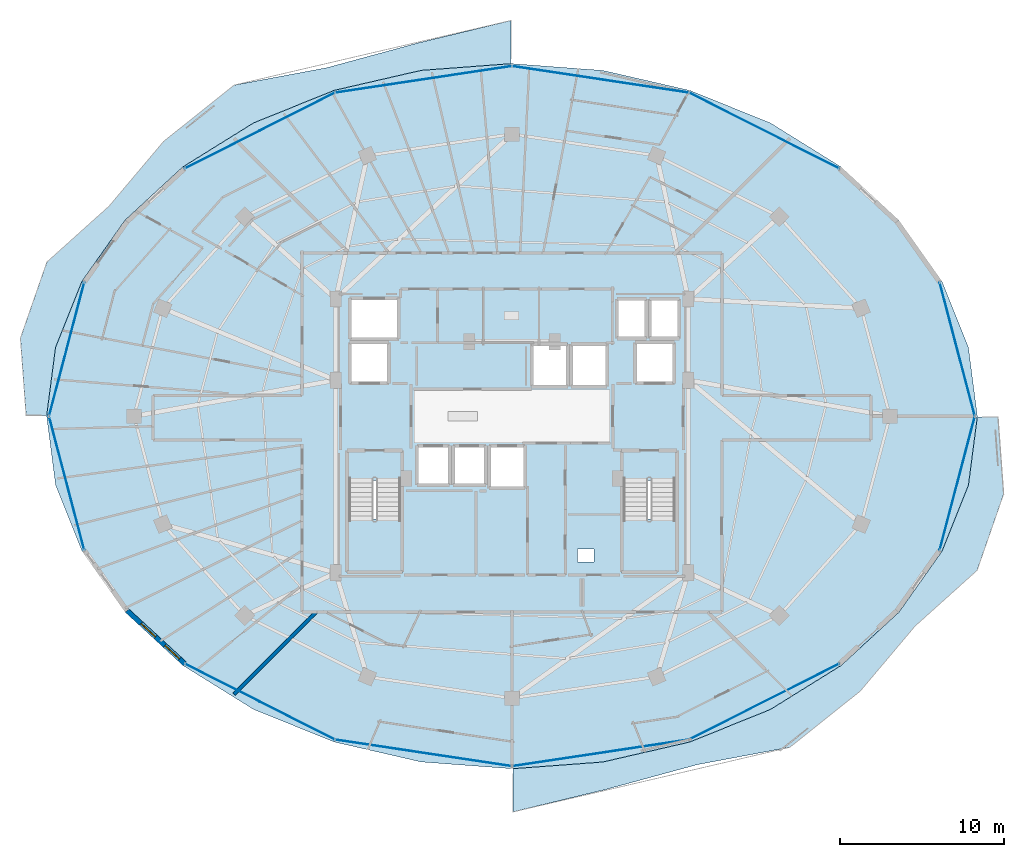
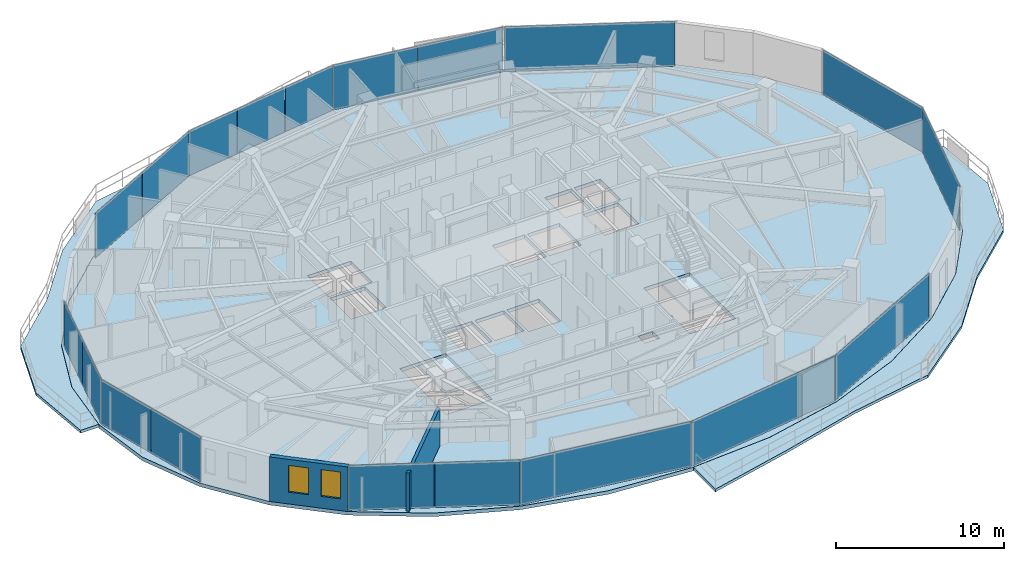
# One storey, part 21 of 31: 19 plates, 5 slabs, 2 walls, 2 windows, 2 openings, 6 elements without a shape of their own.
"""IFC4 building model written with IfcOpenShell, lengths in metres."""

import ifcopenshell
import ifcopenshell.guid

model = None  # the IFC model being written
_history = None  # IfcOwnerHistory: only IFC2X3 demands one
_inside = {}  # id of a spatial element -> (the spatial element, [elements in it])
_under = {}  # id of a project, library or spatial element -> (it, [spatial elements below it])
_declared = {}  # id of a project -> (the project, [libraries it declares])
_typed = {}  # id of a type object -> (the type object, [elements of that type])
_made_of = {}  # id of a material, layer set ... -> (it, [elements and type objects made of it])


def new_model(schema):
    """Start an empty IFC model of exactly this schema.

    Asked for "IFC4X3", IfcOpenShell would pick the latest addendum, in which some entities
    have other attributes; the version numbers below select the first issue.
    IFC2X3 requires an IfcOwnerHistory on every rooted entity: one is made here for all.
    """
    global model, _history
    if schema == "IFC4X3":
        model = ifcopenshell.file(schema_version=(4, 3, 0, 0))
    else:
        model = ifcopenshell.file(schema=schema)
    _inside.clear()
    _under.clear()
    _declared.clear()
    _typed.clear()
    _made_of.clear()
    _history = None
    if model.schema == "IFC2X3":
        org = make("IfcOrganization", Name="unknown")
        user = make(
            "IfcPersonAndOrganization",
            ThePerson=make("IfcPerson", FamilyName="unknown"),
            TheOrganization=org,
        )
        app = make(
            "IfcApplication",
            ApplicationDeveloper=org,
            Version="unknown",
            ApplicationFullName="unknown",
            ApplicationIdentifier="unknown",
        )
        _history = make(
            "IfcOwnerHistory",
            OwningUser=user,
            OwningApplication=app,
            ChangeAction="ADDED",
            CreationDate=0,
        )
    return model


def make(cls, **values):
    """One entity of the class cls with the attributes given. An attribute that is None is left unset."""
    return model.create_entity(
        cls, **{name: value for name, value in values.items() if value is not None}
    )


def rooted(cls, **values):
    """An entity with a GlobalId (a new one), such as an element, a storey or a relation."""
    return make(cls, GlobalId=ifcopenshell.guid.new(), OwnerHistory=_history, **values)


def si_unit(unit_type, name, prefix=None):
    """IfcSIUnit, for example si_unit("LENGTHUNIT", "METRE", prefix="MILLI")."""
    return make("IfcSIUnit", UnitType=unit_type, Prefix=prefix, Name=name)


def assignment(units):
    """IfcUnitAssignment: the units of a project."""
    return None if units is None else make("IfcUnitAssignment", Units=units)


def point(xyz):
    """IfcCartesianPoint."""
    return None if xyz is None else make("IfcCartesianPoint", Coordinates=xyz)


def direction(xyz):
    """IfcDirection."""
    return None if xyz is None else make("IfcDirection", DirectionRatios=xyz)


def frame(location, z_axis=None, x_axis=None):
    """IfcAxis2Placement3D, a coordinate frame: its origin and axes. An axis left out is left unset."""
    return make(
        "IfcAxis2Placement3D",
        Location=point(location),
        Axis=direction(z_axis),
        RefDirection=direction(x_axis),
    )


def frame_2d(location, x_axis=None):
    """IfcAxis2Placement2D, a coordinate frame in the plane: its origin and x axis."""
    return make(
        "IfcAxis2Placement2D", Location=point(location), RefDirection=direction(x_axis)
    )


def origin():
    """The frame at (0, 0, 0) with its axes left unset."""
    return frame((0.0, 0.0, 0.0))


def origin_2d():
    """The frame at (0, 0) in the plane with its x axis left unset."""
    return frame_2d((0.0, 0.0))


def place(relative_to, where):
    """IfcLocalPlacement: puts the frame where relative to a parent placement (None: the world)."""
    return make(
        "IfcLocalPlacement", PlacementRelTo=relative_to, RelativePlacement=where
    )


def context(
    kind, dimensions, precision=None, world=None, true_north=None, identifier=None
):
    """IfcGeometricRepresentationContext, for example the 3D "Model" context."""
    return make(
        "IfcGeometricRepresentationContext",
        ContextIdentifier=identifier,
        ContextType=kind,
        CoordinateSpaceDimension=dimensions,
        Precision=precision,
        WorldCoordinateSystem=world,
        TrueNorth=true_north,
    )


def subcontext(parent, identifier, kind, view, scale=None):
    """IfcGeometricRepresentationSubContext, for example "Body" below "Model"."""
    return make(
        "IfcGeometricRepresentationSubContext",
        ContextIdentifier=identifier,
        ContextType=kind,
        ParentContext=parent,
        TargetScale=scale,
        TargetView=view,
    )


def project(units=None, contexts=None):
    """IfcProject with its units and contexts."""
    return rooted(
        "IfcProject",
        Name="project",
        RepresentationContexts=contexts,
        UnitsInContext=assignment(units),
    )


def spatial(cls, under=None, at=None, **own):
    """A site, building, storey or space (cls), placed at a placement, below another one or the project."""
    s = rooted(cls, ObjectPlacement=at, **own)
    if under is not None:
        _under.setdefault(under.id(), (under, []))[1].append(s)
    return s


def polyline(points):
    """IfcPolyline through the points."""
    return make("IfcPolyline", Points=[point(p) for p in points])


def profile(cls, at=None, kind="AREA", **sizes):
    """A parametric profile (cls). Its sizes go by their IFC names, for example OverallWidth=200.0."""
    return make(cls, ProfileType=kind, Position=at, **sizes)


def rectangle(**sizes):
    """IfcRectangleProfileDef."""
    return profile("IfcRectangleProfileDef", **sizes)


def outline(outer, holes=None, kind="AREA"):
    """IfcArbitraryClosedProfileDef: a profile drawn as a closed curve; with holes, ...WithVoids."""
    if holes is None:
        return make("IfcArbitraryClosedProfileDef", ProfileType=kind, OuterCurve=outer)
    return make(
        "IfcArbitraryProfileDefWithVoids",
        ProfileType=kind,
        OuterCurve=outer,
        InnerCurves=holes,
    )


def extrude(swept, where, along, depth):
    """IfcExtrudedAreaSolid: the profile swept, set in the frame where, extruded along a direction by depth."""
    return make(
        "IfcExtrudedAreaSolid",
        SweptArea=swept,
        Position=where,
        ExtrudedDirection=direction(along),
        Depth=depth,
    )


def shape(context_of_items, identifier, shape_type, items):
    """IfcShapeRepresentation: the items that make up one representation, for example the "Body"."""
    return make(
        "IfcShapeRepresentation",
        ContextOfItems=context_of_items,
        RepresentationIdentifier=identifier,
        RepresentationType=shape_type,
        Items=items,
    )


def material(Name=None, Category=None):
    """IfcMaterial."""
    return make("IfcMaterial", Name=Name, Category=Category)


def layer(
    of_material, thickness, ventilated=None, Name=None, Category=None, Priority=None
):
    """IfcMaterialLayer: one layer of a wall or slab, of a material (None: an air gap)."""
    return make(
        "IfcMaterialLayer",
        Material=of_material,
        LayerThickness=thickness,
        IsVentilated=ventilated,
        Name=Name,
        Category=Category,
        Priority=Priority,
    )


def layer_set(layers, Name=None):
    """IfcMaterialLayerSet."""
    return make("IfcMaterialLayerSet", MaterialLayers=layers, LayerSetName=Name)


def made_of(thing, what):
    """Note that an element or type object is made of a material, layer set ...; save() writes the relation."""
    if what is not None:
        _made_of.setdefault(what.id(), (what, []))[1].append(thing)
    return thing


def type_object(cls, material=None, **own):
    """A type object (cls), such as IfcWallType, which elements share."""
    return made_of(rooted(cls, **own), material)


def element(
    cls,
    number,
    at=None,
    inside=None,
    cuts=None,
    type_object=None,
    material=None,
    context=None,
    identifier="Body",
    shape_type=None,
    held_by="IfcProductDefinitionShape",
    body=None,
    shapes=None,
    **own,
):
    """One element of the class cls, such as IfcWall. Its Tag is "e" and its number.

    at: its placement. inside: the storey or other place that contains it. cuts: it is an
    opening in that element (IfcRelVoidsElement). A single representation is given by context,
    identifier, shape_type and body (its items); several are given by shapes. held_by: the class
    of the entity that holds the representations. save() writes the other relations.
    """
    e = rooted(cls, Tag="e%d" % number, ObjectPlacement=at, **own)
    if body is not None:
        shapes = [shape(context, identifier, shape_type, body)]
    if shapes is not None:
        e.Representation = make(held_by, Representations=shapes)
    if inside is not None:
        _inside.setdefault(inside.id(), (inside, []))[1].append(e)
    if cuts is not None:
        rooted(
            "IfcRelVoidsElement", RelatingBuildingElement=cuts, RelatedOpeningElement=e
        )
    if type_object is not None:
        _typed.setdefault(type_object.id(), (type_object, []))[1].append(e)
    return made_of(e, material)


def fill(opening, filler):
    """IfcRelFillsElement: the door or window that sits in an opening."""
    return rooted(
        "IfcRelFillsElement",
        RelatingOpeningElement=opening,
        RelatedBuildingElement=filler,
    )


def aggregate(whole, parts):
    """IfcRelAggregates: a whole, such as a stair, and the parts it consists of."""
    return rooted("IfcRelAggregates", RelatingObject=whole, RelatedObjects=parts)


def save(model, path):
    """Write the relations noted so far, then the file.

    IfcRelAggregates (storeys below a building ...), IfcRelContainedInSpatialStructure (elements
    in a storey), IfcRelDefinesByType, IfcRelAssociatesMaterial and IfcRelDeclares: one each for
    every whole, place, type object, material and project.
    """
    for whole, parts in _under.values():
        aggregate(whole, parts)
    for where, things in _inside.values():
        rooted(
            "IfcRelContainedInSpatialStructure",
            RelatedElements=things,
            RelatingStructure=where,
        )
    for kind, things in _typed.values():
        rooted("IfcRelDefinesByType", RelatedObjects=things, RelatingType=kind)
    for what, things in _made_of.values():
        rooted("IfcRelAssociatesMaterial", RelatedObjects=things, RelatingMaterial=what)
    for by, libraries in _declared.values():
        rooted("IfcRelDeclares", RelatingContext=by, RelatedDefinitions=libraries)
    model.write(path)


model = new_model("IFC4")

# Units and contexts
model_context = context("Model", 3, precision=1e-05, world=origin(), true_north=direction((0.0, 1.0)))
body_context = subcontext(model_context, "Body", "Model", "MODEL_VIEW")
ifc_project = project(units=[si_unit("LENGTHUNIT", "METRE"), si_unit("AREAUNIT", "SQUARE_METRE"), si_unit("VOLUMEUNIT", "CUBIC_METRE"), si_unit("PLANEANGLEUNIT", "RADIAN"), si_unit("MASSUNIT", "GRAM", prefix="KILO")], contexts=[model_context])

# Site, building, storey
site_placement = place(None, origin())
site = spatial("IfcSite", under=ifc_project, at=site_placement, CompositionType="ELEMENT")
building_placement = place(site_placement, origin())
building = spatial("IfcBuilding", under=site, at=building_placement, Name="Vorneva Point Tower", CompositionType="ELEMENT")
storey_placement = place(building_placement, frame((0.0, 0.0, 193.10009765625)))
storey = spatial("IfcBuildingStorey", under=building, at=storey_placement, Name="L52", CompositionType="ELEMENT", Elevation=193.10009765625)

# Curtain wall, plates
ifc_material_1 = material(Name="Pale anodised aluminium", Category="aluminium")
curtain_wall_type = type_object("IfcCurtainWallType", Name="CW-RES-SYS", PredefinedType="NOTDEFINED", material=ifc_material_1)
curtain_wall_1_placement = place(storey_placement, origin())
curtain_wall_1 = element("IfcCurtainWall", 1, at=curtain_wall_1_placement, inside=storey, type_object=curtain_wall_type, Name="L52 Unitised Curtain Wall CW-L52-R01", PredefinedType="NOTDEFINED")
ifc_material_2 = material(Name="Double low-e laminated glass IGU", Category="glass")
ifc_layer_1 = layer(ifc_material_2, 0.035888671875)
ifc_layer_set_1 = layer_set([ifc_layer_1], Name="Double low-e laminated glass IGU")
plate_type = type_object("IfcPlateType", Name="CW-PNL-VIS", PredefinedType="CURTAIN_PANEL", material=ifc_layer_set_1)
plate_1_placement = place(storey_placement, frame((65.155517578125, 21.914794921875, -0.02001953125), z_axis=(0.0, 0.0, 1.0), x_axis=(0.254365646708, 0.967108121036, 0.0)))
plate_1 = element("IfcPlate", 2, at=plate_1_placement, type_object=plate_type, Name="CW-L52-R01 Glazed Panel 01", PredefinedType="CURTAIN_PANEL", context=body_context, shape_type="SweptSolid", body=[
    extrude(rectangle(XDim=8.398193359375, YDim=0.035888671875, at=origin_2d()), origin(), (0.0, 0.0, 1.0), 3.280029296875),
])
plate_2_placement = place(storey_placement, frame((65.155517578125, 30.085205078125, -0.02001953125), z_axis=(0.0, 0.0, 1.0), x_axis=(-0.254365646708, 0.967108121036, 0.0)))
plate_2 = element("IfcPlate", 3, at=plate_2_placement, type_object=plate_type, Name="CW-L52-R01 Glazed Panel 02", PredefinedType="CURTAIN_PANEL", context=body_context, shape_type="SweptSolid", body=[
    extrude(rectangle(XDim=8.398193359375, YDim=0.035888671875, at=origin_2d()), origin(), (0.0, 0.0, 1.0), 3.280029296875),
])
aggregate(curtain_wall_1, [plate_1, plate_2])

curtain_wall_2_placement = place(storey_placement, origin())
curtain_wall_2 = element("IfcCurtainWall", 4, at=curtain_wall_2_placement, inside=storey, type_object=curtain_wall_type, Name="L52 Unitised Curtain Wall CW-L52-R02", PredefinedType="NOTDEFINED")
plate_3_placement = place(storey_placement, frame((53.38232421875, 43.410888671875, -0.02001953125), z_axis=(0.0, 0.0, 1.0), x_axis=(-0.892514983762, 0.451017742179, 0.0)))
plate_3 = element("IfcPlate", 5, at=plate_3_placement, type_object=plate_type, Name="CW-L52-R02 Glazed Panel 01", PredefinedType="CURTAIN_PANEL", context=body_context, shape_type="SweptSolid", body=[
    extrude(rectangle(XDim=10.21142578125, YDim=0.035888671875, at=origin_2d()), origin(), (0.0, 0.0, 1.0), 3.280029296875),
])
plate_4_placement = place(storey_placement, frame((46.102294921875, 46.131103515625, -0.02001953125), z_axis=(0.0, 0.0, 1.0), x_axis=(-0.988873520862, 0.148758729957, 0.0)))
plate_4 = element("IfcPlate", 6, at=plate_4_placement, type_object=plate_type, Name="CW-L52-R02 Glazed Panel 02A", PredefinedType="CURTAIN_PANEL", context=body_context, shape_type="SweptSolid", body=[
    extrude(rectangle(XDim=5.412353515625, YDim=0.035888671875, at=origin_2d()), origin(), (0.0, 0.0, 1.0), 3.280029296875),
])
plate_5_placement = place(storey_placement, frame((40.70068359375, 46.943603515625, -0.02001953125), z_axis=(0.0, 0.0, 1.0), x_axis=(-0.988873520862, 0.148758729957, 0.0)))
plate_5 = element("IfcPlate", 7, at=plate_5_placement, type_object=plate_type, Name="CW-L52-R02 Glazed Panel 02B", PredefinedType="CURTAIN_PANEL", context=body_context, shape_type="SweptSolid", body=[
    extrude(rectangle(XDim=5.412353515625, YDim=0.035888671875, at=origin_2d()), origin(), (0.0, 0.0, 1.0), 3.280029296875),
])
plate_6_placement = place(storey_placement, frame((36.199462890625, 47.0791015625, -0.02001953125), z_axis=(0.0, 0.0, 1.0), x_axis=(-0.988873520862, -0.148758729957, 0.0)))
plate_6 = element("IfcPlate", 8, at=plate_6_placement, type_object=plate_type, Name="CW-L52-R02 Glazed Panel 03A", PredefinedType="CURTAIN_PANEL", context=body_context, shape_type="SweptSolid", body=[
    extrude(rectangle(XDim=3.591552734375, YDim=0.035888671875, at=origin_2d()), origin(), (0.0, 0.0, 1.0), 3.280029296875),
])
plate_7_placement = place(storey_placement, frame((32.598388671875, 46.537353515625, -0.02001953125), z_axis=(0.0, 0.0, 1.0), x_axis=(-0.988873520862, -0.148758729957, 0.0)))
plate_7 = element("IfcPlate", 9, at=plate_7_placement, type_object=plate_type, Name="CW-L52-R02 Glazed Panel 03B", PredefinedType="CURTAIN_PANEL", context=body_context, shape_type="SweptSolid", body=[
    extrude(rectangle(XDim=3.591552734375, YDim=0.035888671875, at=origin_2d()), origin(), (0.0, 0.0, 1.0), 3.280029296875),
])
plate_8_placement = place(storey_placement, frame((28.997314453125, 45.99560546875, -0.02001953125), z_axis=(0.0, 0.0, 1.0), x_axis=(-0.988873520862, -0.148758729957, 0.0)))
plate_8 = element("IfcPlate", 10, at=plate_8_placement, type_object=plate_type, Name="CW-L52-R02 Glazed Panel 03C", PredefinedType="CURTAIN_PANEL", context=body_context, shape_type="SweptSolid", body=[
    extrude(rectangle(XDim=3.591552734375, YDim=0.035888671875, at=origin_2d()), origin(), (0.0, 0.0, 1.0), 3.280029296875),
])
plate_9_placement = place(storey_placement, frame((24.9072265625, 44.56787109375, -0.02001953125), z_axis=(0.0, 0.0, 1.0), x_axis=(-0.892514983762, -0.451017742179, 0.0)))
plate_9 = element("IfcPlate", 11, at=plate_9_placement, type_object=plate_type, Name="CW-L52-R02 Glazed Panel 04A", PredefinedType="CURTAIN_PANEL", context=body_context, shape_type="SweptSolid", body=[
    extrude(rectangle(XDim=5.080810546875, YDim=0.035888671875, at=origin_2d()), origin(), (0.0, 0.0, 1.0), 3.280029296875),
])
plate_10_placement = place(storey_placement, frame((20.327880859375, 42.253662109375, -0.02001953125), z_axis=(0.0, 0.0, 1.0), x_axis=(-0.892514983762, -0.451017742179, 0.0)))
plate_10 = element("IfcPlate", 12, at=plate_10_placement, type_object=plate_type, Name="CW-L52-R02 Glazed Panel 04B", PredefinedType="CURTAIN_PANEL", context=body_context, shape_type="SweptSolid", body=[
    extrude(rectangle(XDim=5.080810546875, YDim=0.035888671875, at=origin_2d()), origin(), (0.0, 0.0, 1.0), 3.280029296875),
])
aggregate(curtain_wall_2, [plate_3, plate_4, plate_5, plate_6, plate_7, plate_8, plate_9, plate_10])

curtain_wall_3_placement = place(storey_placement, origin())
curtain_wall_3 = element("IfcCurtainWall", 13, at=curtain_wall_3_placement, inside=storey, type_object=curtain_wall_type, Name="L52 Unitised Curtain Wall CW-L52-R03", PredefinedType="NOTDEFINED")
plate_11_placement = place(storey_placement, frame((11.381591796875, 32.127685546875, -0.02001953125), z_axis=(0.0, 0.0, 1.0), x_axis=(-0.254365646708, -0.967108121036, 0.0)))
plate_11 = element("IfcPlate", 14, at=plate_11_placement, type_object=plate_type, Name="CW-L52-R03 Glazed Panel 01A", PredefinedType="CURTAIN_PANEL", context=body_context, shape_type="SweptSolid", body=[
    extrude(rectangle(XDim=4.174072265625, YDim=0.035888671875, at=origin_2d()), origin(), (0.0, 0.0, 1.0), 3.280029296875),
])
plate_12_placement = place(storey_placement, frame((10.30712890625, 28.04248046875, -0.02001953125), z_axis=(0.0, 0.0, 1.0), x_axis=(-0.254365646708, -0.967108121036, 0.0)))
plate_12 = element("IfcPlate", 15, at=plate_12_placement, type_object=plate_type, Name="CW-L52-R03 Glazed Panel 01B", PredefinedType="CURTAIN_PANEL", context=body_context, shape_type="SweptSolid", body=[
    extrude(rectangle(XDim=4.174072265625, YDim=0.035888671875, at=origin_2d()), origin(), (0.0, 0.0, 1.0), 3.280029296875),
])
plate_13_placement = place(storey_placement, frame((10.30712890625, 23.95751953125, -0.02001953125), z_axis=(0.0, 0.0, 1.0), x_axis=(0.254365646708, -0.967108121036, 0.0)))
plate_13 = element("IfcPlate", 16, at=plate_13_placement, type_object=plate_type, Name="CW-L52-R03 Glazed Panel 02A", PredefinedType="CURTAIN_PANEL", context=body_context, shape_type="SweptSolid", body=[
    extrude(rectangle(XDim=4.174072265625, YDim=0.035888671875, at=origin_2d()), origin(), (0.0, 0.0, 1.0), 3.280029296875),
])
plate_14_placement = place(storey_placement, frame((11.381591796875, 19.872314453125, -0.02001953125), z_axis=(0.0, 0.0, 1.0), x_axis=(0.254365646708, -0.967108121036, 0.0)))
plate_14 = element("IfcPlate", 17, at=plate_14_placement, type_object=plate_type, Name="CW-L52-R03 Glazed Panel 02B", PredefinedType="CURTAIN_PANEL", context=body_context, shape_type="SweptSolid", body=[
    extrude(rectangle(XDim=4.174072265625, YDim=0.035888671875, at=origin_2d()), origin(), (0.0, 0.0, 1.0), 3.280029296875),
])
aggregate(curtain_wall_3, [plate_11, plate_12, plate_13, plate_14])

curtain_wall_4_placement = place(storey_placement, origin())
curtain_wall_4 = element("IfcCurtainWall", 18, at=curtain_wall_4_placement, inside=storey, type_object=curtain_wall_type, Name="L52 Unitised Curtain Wall CW-L52-R04", PredefinedType="NOTDEFINED")
plate_15_placement = place(storey_placement, frame((20.327880859375, 9.746337890625, -0.02001953125), z_axis=(0.0, 0.0, 1.0), x_axis=(0.892514983762, -0.451017742179, 0.0)))
plate_15 = element("IfcPlate", 19, at=plate_15_placement, type_object=plate_type, Name="CW-L52-R04 Glazed Panel 01A", PredefinedType="CURTAIN_PANEL", context=body_context, shape_type="SweptSolid", body=[
    extrude(rectangle(XDim=5.080810546875, YDim=0.035888671875, at=origin_2d()), origin(), (0.0, 0.0, 1.0), 3.280029296875),
])
plate_16_placement = place(storey_placement, frame((24.9072265625, 7.43212890625, -0.02001953125), z_axis=(0.0, 0.0, 1.0), x_axis=(0.892514983762, -0.451017742179, 0.0)))
plate_16 = element("IfcPlate", 20, at=plate_16_placement, type_object=plate_type, Name="CW-L52-R04 Glazed Panel 01B", PredefinedType="CURTAIN_PANEL", context=body_context, shape_type="SweptSolid", body=[
    extrude(rectangle(XDim=5.080810546875, YDim=0.035888671875, at=origin_2d()), origin(), (0.0, 0.0, 1.0), 3.280029296875),
])
plate_17_placement = place(storey_placement, frame((32.598388671875, 5.462646484375, -0.02001953125), z_axis=(0.0, 0.0, 1.0), x_axis=(0.988873520862, -0.148758729957, 0.0)))
plate_17 = element("IfcPlate", 21, at=plate_17_placement, type_object=plate_type, Name="CW-L52-R04 Glazed Panel 02", PredefinedType="CURTAIN_PANEL", context=body_context, shape_type="SweptSolid", body=[
    extrude(rectangle(XDim=10.874755859375, YDim=0.035888671875, at=origin_2d()), origin(), (0.0, 0.0, 1.0), 3.280029296875),
])
plate_18_placement = place(storey_placement, frame((43.401611328125, 5.462646484375, -0.02001953125), z_axis=(0.0, 0.0, 1.0), x_axis=(0.988873520862, 0.148758729957, 0.0)))
plate_18 = element("IfcPlate", 22, at=plate_18_placement, type_object=plate_type, Name="CW-L52-R04 Glazed Panel 03", PredefinedType="CURTAIN_PANEL", context=body_context, shape_type="SweptSolid", body=[
    extrude(rectangle(XDim=10.874755859375, YDim=0.035888671875, at=origin_2d()), origin(), (0.0, 0.0, 1.0), 3.280029296875),
])
plate_19_placement = place(storey_placement, frame((53.38232421875, 8.589111328125, -0.02001953125), z_axis=(0.0, 0.0, 1.0), x_axis=(0.892514983762, 0.451017742179, 0.0)))
plate_19 = element("IfcPlate", 23, at=plate_19_placement, type_object=plate_type, Name="CW-L52-R04 Glazed Panel 04", PredefinedType="CURTAIN_PANEL", context=body_context, shape_type="SweptSolid", body=[
    extrude(rectangle(XDim=10.21142578125, YDim=0.035888671875, at=origin_2d()), origin(), (0.0, 0.0, 1.0), 3.280029296875),
])
aggregate(curtain_wall_4, [plate_15, plate_16, plate_17, plate_18, plate_19])

# Slabs
ifc_material_3 = material(Name="Concrete B50 (C40/50)", Category="concrete")
ifc_layer_2 = layer(ifc_material_3, 0.199951171875)
ifc_layer_set_2 = layer_set([ifc_layer_2], Name="Concrete B50 (C40/50)")
slab_type_1 = type_object("IfcSlabType", Name="SLB-BAL-200", PredefinedType="FLOOR", material=ifc_layer_set_2)
slab_1_placement = place(storey_placement, frame((0.0, 0.0, -0.2001953125)))
element("IfcSlab", 24, at=slab_1_placement, inside=storey, type_object=slab_type_1, Name="L52 Cantilevered Wave Balcony NW", PredefinedType="FLOOR", context=body_context, shape_type="SweptSolid", body=[
    extrude(outline(polyline([(8.3662109375, 26.050048828125), (9.62255859375, 26.050048828125), (10.161376953125, 30.19482421875), (10.161376953125, 30.1953125), (10.16162109375, 30.195556640625), (10.16162109375, 30.19580078125), (11.776611328125, 34.229248046875), (11.77685546875, 34.2294921875), (11.777099609375, 34.22998046875), (14.399658203125, 37.947021484375), (14.39990234375, 37.947509765625), (14.400146484375, 37.94775390625), (17.9296875, 41.205810546875), (17.929931640625, 41.2060546875), (17.93017578125, 41.206298828125), (22.230712890625, 43.8798828125), (22.231201171875, 43.880126953125), (22.2314453125, 43.88037109375), (27.137939453125, 45.8671875), (27.13818359375, 45.8671875), (27.138427734375, 45.8671875), (32.46240234375, 47.0908203125), (32.462646484375, 47.0908203125), (32.462890625, 47.0908203125), (37.949951171875, 47.500244140625), (37.949951171875, 50.137939453125), (32.212646484375, 48.750244140625), (26.703857421875, 47.251708984375), (21.060302734375, 46.193359375), (16.7548828125, 42.757080078125), (13.425537109375, 38.806884765625), (9.635009765625, 35.400634765625), (8.02001953125, 30.7578125), (8.3662109375, 26.050048828125)])), origin(), (0.0, 0.0, 1.0), 0.2001953125),
])
slab_2_placement = place(storey_placement, frame((0.0, 0.0, -0.2001953125)))
element("IfcSlab", 25, at=slab_2_placement, inside=storey, type_object=slab_type_1, Name="L52 Cantilevered Wave Balcony SE", PredefinedType="FLOOR", context=body_context, shape_type="SweptSolid", body=[
    extrude(outline(polyline([(67.97998046875, 21.2421875), (67.6337890625, 25.949951171875), (66.37744140625, 25.949951171875), (65.838623046875, 21.80517578125), (65.838623046875, 21.8046875), (65.83837890625, 21.804443359375), (65.83837890625, 21.80419921875), (64.223388671875, 17.770751953125), (64.22314453125, 17.7705078125), (64.222900390625, 17.77001953125), (61.600341796875, 14.052978515625), (61.60009765625, 14.052490234375), (61.599853515625, 14.05224609375), (58.0703125, 10.794189453125), (58.070068359375, 10.7939453125), (58.06982421875, 10.793701171875), (53.769287109375, 8.1201171875), (53.768798828125, 8.119873046875), (53.7685546875, 8.11962890625), (48.862060546875, 6.1328125), (48.86181640625, 6.1328125), (48.861572265625, 6.1328125), (43.53759765625, 4.9091796875), (43.537353515625, 4.9091796875), (43.537109375, 4.9091796875), (38.050048828125, 4.499755859375), (38.050048828125, 1.862060546875), (43.787353515625, 3.249755859375), (49.296142578125, 4.748291015625), (54.939697265625, 5.806640625), (59.2451171875, 9.242919921875), (62.574462890625, 13.193115234375), (66.364990234375, 16.599365234375), (67.97998046875, 21.2421875)])), origin(), (0.0, 0.0, 1.0), 0.2001953125),
])

# Stair, slab
stair_type = type_object("IfcStairType", Name="ST-DOG-1500", PredefinedType="HALF_TURN_STAIR", material=ifc_material_3)
stair_1_placement = place(storey_placement, origin())
stair_1 = element("IfcStair", 26, at=stair_1_placement, inside=storey, type_object=stair_type, Name="L52 ST1", PredefinedType="HALF_TURN_STAIR")
ifc_layer_3 = layer(ifc_material_3, 0.199951171875)
ifc_layer_set_3 = layer_set([ifc_layer_3], Name="Concrete B50 (C40/50)")
slab_type_2 = type_object("IfcSlabType", Name="SLB-LND-200", PredefinedType="LANDING", material=ifc_layer_set_3)
slab_3_placement = place(storey_placement, frame((0.0, 0.0, 1.5498046875)))
slab_3 = element("IfcSlab", 27, at=slab_3_placement, type_object=slab_type_2, Name="ST1 landing 1", PredefinedType="LANDING", context=body_context, shape_type="SweptSolid", body=[
    extrude(outline(polyline([(27.929931640625, 16.47998046875), (31.320068359375, 16.47998046875), (31.320068359375, 19.72998046875), (27.929931640625, 19.72998046875), (27.929931640625, 16.47998046875)])), origin(), (0.0, 0.0, 1.0), 0.2001953125),
])
aggregate(stair_1, [slab_3])

stair_2_placement = place(storey_placement, origin())
stair_2 = element("IfcStair", 28, at=stair_2_placement, inside=storey, type_object=stair_type, Name="L52 ST2", PredefinedType="HALF_TURN_STAIR")
slab_4_placement = place(storey_placement, frame((0.0, 0.0, 1.5498046875)))
slab_4 = element("IfcSlab", 29, at=slab_4_placement, type_object=slab_type_2, Name="ST2 landing 1", PredefinedType="LANDING", context=body_context, shape_type="SweptSolid", body=[
    extrude(outline(polyline([(44.679931640625, 16.47998046875), (48.070068359375, 16.47998046875), (48.070068359375, 19.72998046875), (44.679931640625, 19.72998046875), (44.679931640625, 16.47998046875)])), origin(), (0.0, 0.0, 1.0), 0.2001953125),
])
aggregate(stair_2, [slab_4])

# Slab
ifc_layer_4 = layer(ifc_material_3, 0.260009765625)
ifc_layer_set_4 = layer_set([ifc_layer_4], Name="Concrete B50 (C40/50)")
slab_type_3 = type_object("IfcSlabType", Name="SLB-TYP-260", PredefinedType="FLOOR", material=ifc_layer_set_4)
slab_5_placement = place(storey_placement, frame((0.0, 0.0, -0.260009765625)))
element("IfcSlab", 30, at=slab_5_placement, inside=storey, type_object=slab_type_3, Name="L52 Structural Floor Plate", PredefinedType="FLOOR", context=body_context, shape_type="SweptSolid", body=[
    extrude(outline(polyline([(66.3798828125, 26.0), (65.834716796875, 30.1943359375), (64.2197265625, 34.227783203125), (61.59716796875, 37.94482421875), (58.067626953125, 41.202880859375), (53.76708984375, 43.876708984375), (48.860595703125, 45.86328125), (43.53662109375, 47.0869140625), (38.0, 47.5), (32.46337890625, 47.0869140625), (27.139404296875, 45.86328125), (22.23291015625, 43.876708984375), (17.932373046875, 41.202880859375), (14.40283203125, 37.94482421875), (11.7802734375, 34.227783203125), (10.165283203125, 30.1943359375), (9.6201171875, 26.0), (10.165283203125, 21.8056640625), (11.7802734375, 17.772216796875), (14.40283203125, 14.05517578125), (17.932373046875, 10.797119140625), (22.23291015625, 8.123291015625), (27.139404296875, 6.13671875), (32.46337890625, 4.9130859375), (38.0, 4.5), (43.53662109375, 4.9130859375), (48.860595703125, 6.13671875), (53.76708984375, 8.123291015625), (58.067626953125, 10.797119140625), (61.59716796875, 14.05517578125), (64.2197265625, 17.772216796875), (65.834716796875, 21.8056640625), (66.3798828125, 26.0)]), holes=[polyline([(32.199951171875, 21.800048828125), (34.199951171875, 21.800048828125), (34.199951171875, 24.199951171875), (32.199951171875, 24.199951171875), (32.199951171875, 21.800048828125)]), polyline([(34.39990234375, 21.800048828125), (36.39990234375, 21.800048828125), (36.39990234375, 24.199951171875), (34.39990234375, 24.199951171875), (34.39990234375, 21.800048828125)]), polyline([(36.60009765625, 21.60009765625), (38.800048828125, 21.60009765625), (38.800048828125, 24.199951171875), (36.60009765625, 24.199951171875), (36.60009765625, 21.60009765625)]), polyline([(39.199951171875, 27.800048828125), (41.39990234375, 27.800048828125), (41.39990234375, 30.39990234375), (39.199951171875, 30.39990234375), (39.199951171875, 27.800048828125)]), polyline([(41.60009765625, 27.800048828125), (43.800048828125, 27.800048828125), (43.800048828125, 30.39990234375), (41.60009765625, 30.39990234375), (41.60009765625, 27.800048828125)]), polyline([(44.39990234375, 30.739990234375), (46.199951171875, 30.739990234375), (46.199951171875, 33.159912109375), (44.39990234375, 33.159912109375), (44.39990234375, 30.739990234375)]), polyline([(46.39990234375, 30.739990234375), (48.199951171875, 30.739990234375), (48.199951171875, 33.159912109375), (46.39990234375, 33.159912109375), (46.39990234375, 30.739990234375)]), polyline([(28.10009765625, 28.0), (30.5, 28.0), (30.5, 30.5), (28.10009765625, 30.5), (28.10009765625, 28.0)]), polyline([(45.5, 28.0), (47.89990234375, 28.0), (47.89990234375, 30.5), (45.5, 30.5), (45.5, 28.0)]), polyline([(28.10009765625, 30.699951171875), (31.10009765625, 30.699951171875), (31.10009765625, 33.199951171875), (28.10009765625, 33.199951171875), (28.10009765625, 30.699951171875)]), polyline([(28.050048828125, 16.60009765625), (31.199951171875, 16.60009765625), (31.199951171875, 22.080078125), (28.050048828125, 22.080078125), (28.050048828125, 16.60009765625)]), polyline([(44.800048828125, 16.60009765625), (47.949951171875, 16.60009765625), (47.949951171875, 22.080078125), (44.800048828125, 22.080078125), (44.800048828125, 16.60009765625)]), polyline([(42.0, 17.10009765625), (43.0, 17.10009765625), (43.0, 17.89990234375), (42.0, 17.89990234375), (42.0, 17.10009765625)])]), origin(), (0.0, 0.0, 1.0), 0.260009765625),
])

# Wall, openings, windows
ifc_material_4 = material(Name="Precast concrete B50 (C40/50)", Category="concrete")
ifc_layer_5 = layer(ifc_material_4, 0.300048828125)
ifc_layer_set_5 = layer_set([ifc_layer_5], Name="Precast concrete B50 (C40/50)")
wall_type_1 = type_object("IfcWallType", Name="WL-EXT-300", PredefinedType="STANDARD", material=ifc_layer_set_5)
wall_1_placement = place(storey_placement, frame((14.527587890625, 14.138671875, 0.0), z_axis=(0.0, 0.0, 1.0), x_axis=(0.735359993374, -0.677676678177, 0.0)))
wall_1 = element("IfcWall", 31, at=wall_1_placement, inside=storey, type_object=wall_type_1, Name="L52 Pale-Metal Facade Spandrel Wall 10.2", PredefinedType="STANDARD", context=body_context, shape_type="SweptSolid", body=[
    extrude(rectangle(XDim=4.774169921875, YDim=0.300048828125, at=frame_2d((2.38720703125, 0.0))), origin(), (0.0, 0.0, 1.0), 3.239990234375),
])
opening_1_placement = place(wall_1_placement, frame((1.158203125, 0.0, 0.85009765625)))
opening_1 = element("IfcOpeningElement", 32, at=opening_1_placement, cuts=wall_1, Name="Opening W-04", PredefinedType="OPENING", context=body_context, shape_type="SweptSolid", body=[
    extrude(rectangle(XDim=1.199951171875, YDim=1.949951171875, at=frame_2d((0.60009765625, 0.97509765625))), frame((0.0, 0.1650390625, 0.0), z_axis=(0.0, -1.0, 0.0), x_axis=(1.0, 0.0, 0.0)), (0.0, 0.0, 1.0), 0.329833984375),
])
opening_2_placement = place(wall_1_placement, frame((3.134765625, 0.0, 0.85009765625)))
opening_2 = element("IfcOpeningElement", 33, at=opening_2_placement, cuts=wall_1, Name="Opening W-04", PredefinedType="OPENING", context=body_context, shape_type="SweptSolid", body=[
    extrude(rectangle(XDim=1.199951171875, YDim=1.949951171875, at=frame_2d((0.60009765625, 0.97509765625))), frame((0.0, 0.1650390625, 0.0), z_axis=(0.0, -1.0, 0.0), x_axis=(1.0, 0.0, 0.0)), (0.0, 0.0, 1.0), 0.329833984375),
])
window_type = type_object("IfcWindowType", Name="WN-RES-1200", PartitioningType="SINGLE_PANEL", PredefinedType="WINDOW", material=ifc_material_2)
window_1_placement = place(opening_1_placement, origin())
window_1 = element("IfcWindow", 34, at=window_1_placement, inside=storey, type_object=window_type, Name="L52 Dwelling Vision Window 03", OverallHeight=1.949951171875, OverallWidth=1.199951171875, PartitioningType="SINGLE_PANEL", PredefinedType="WINDOW", context=body_context, shape_type="SweptSolid", body=[
    extrude(rectangle(XDim=1.199951171875, YDim=1.949951171875, at=frame_2d((0.60009765625, 0.97509765625))), frame((0.0, 0.030029296875, 0.0), z_axis=(0.0, -1.0, 0.0), x_axis=(1.0, 0.0, 0.0)), (0.0, 0.0, 1.0), 0.06005859375),
])
fill(opening_1, window_1)
window_2_placement = place(opening_2_placement, origin())
window_2 = element("IfcWindow", 35, at=window_2_placement, inside=storey, type_object=window_type, Name="L52 Dwelling Vision Window 04", OverallHeight=1.949951171875, OverallWidth=1.199951171875, PartitioningType="SINGLE_PANEL", PredefinedType="WINDOW", context=body_context, shape_type="SweptSolid", body=[
    extrude(rectangle(XDim=1.199951171875, YDim=1.949951171875, at=frame_2d((0.60009765625, 0.97509765625))), frame((0.0, 0.030029296875, 0.0), z_axis=(0.0, -1.0, 0.0), x_axis=(1.0, 0.0, 0.0)), (0.0, 0.0, 1.0), 0.06005859375),
])
fill(opening_2, window_2)

# Wall
ifc_material_5 = material(Name="Autoclaved aerated concrete blockwork", Category="masonry")
ifc_layer_6 = layer(ifc_material_5, 0.199951171875)
ifc_layer_set_6 = layer_set([ifc_layer_6], Name="Autoclaved aerated concrete blockwork")
wall_type_2 = type_object("IfcWallType", Name="WL-PART-200", PredefinedType="PARTITIONING", material=ifc_layer_set_6)
wall_2_placement = place(storey_placement, frame((21.041015625, 9.041015625, 0.0), z_axis=(0.0, 0.0, 1.0), x_axis=(0.707106781187, 0.707106781187, 0.0)))
element("IfcWall", 36, at=wall_2_placement, inside=storey, type_object=wall_type_2, Name="L52 Interior Partition 111", PredefinedType="PARTITIONING", context=body_context, shape_type="SweptSolid", body=[
    extrude(rectangle(XDim=7.083740234375, YDim=0.199951171875, at=frame_2d((3.5419921875, 0.0))), origin(), (0.0, 0.0, 1.0), 2.77392578125),
])

save(model, "model.ifc")
